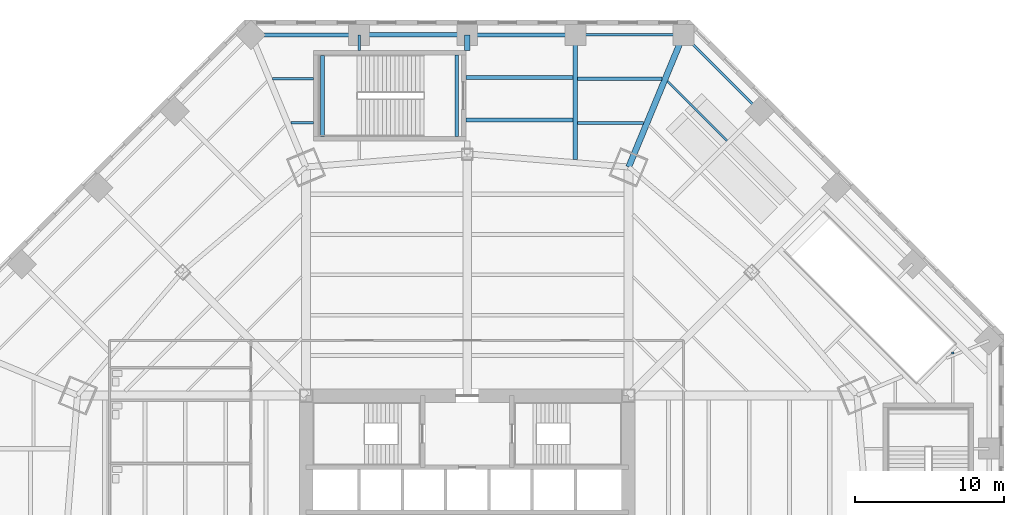
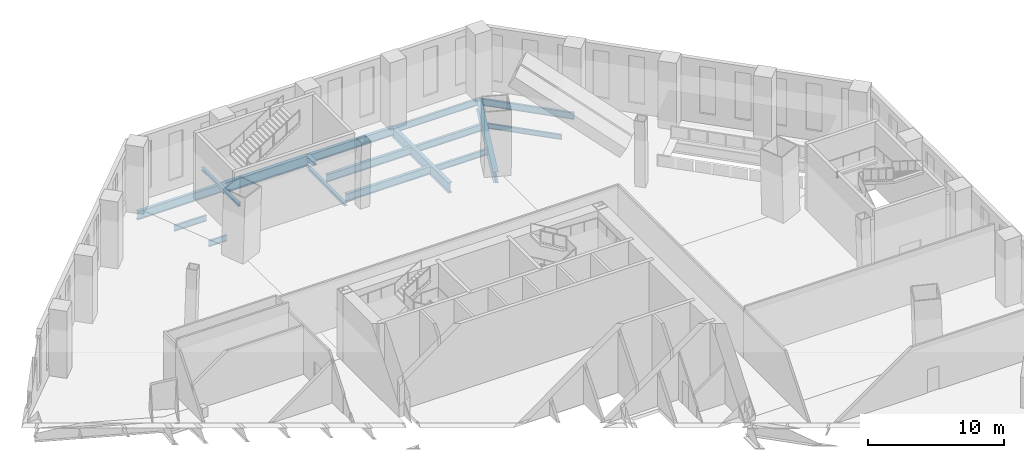
# One storey, part 6 of 20: 17 beams, 2 members.
"""IFC4 building model written with IfcOpenShell, lengths in metres."""

import ifcopenshell
import ifcopenshell.guid

model = None  # the IFC model being written
_history = None  # IfcOwnerHistory: only IFC2X3 demands one
_inside = {}  # id of a spatial element -> (the spatial element, [elements in it])
_under = {}  # id of a project, library or spatial element -> (it, [spatial elements below it])
_declared = {}  # id of a project -> (the project, [libraries it declares])
_typed = {}  # id of a type object -> (the type object, [elements of that type])
_made_of = {}  # id of a material, layer set ... -> (it, [elements and type objects made of it])


def new_model(schema):
    """Start an empty IFC model of exactly this schema.

    Asked for "IFC4X3", IfcOpenShell would pick the latest addendum, in which some entities
    have other attributes; the version numbers below select the first issue.
    IFC2X3 requires an IfcOwnerHistory on every rooted entity: one is made here for all.
    """
    global model, _history
    if schema == "IFC4X3":
        model = ifcopenshell.file(schema_version=(4, 3, 0, 0))
    else:
        model = ifcopenshell.file(schema=schema)
    _inside.clear()
    _under.clear()
    _declared.clear()
    _typed.clear()
    _made_of.clear()
    _history = None
    if model.schema == "IFC2X3":
        org = make("IfcOrganization", Name="unknown")
        user = make(
            "IfcPersonAndOrganization",
            ThePerson=make("IfcPerson", FamilyName="unknown"),
            TheOrganization=org,
        )
        app = make(
            "IfcApplication",
            ApplicationDeveloper=org,
            Version="unknown",
            ApplicationFullName="unknown",
            ApplicationIdentifier="unknown",
        )
        _history = make(
            "IfcOwnerHistory",
            OwningUser=user,
            OwningApplication=app,
            ChangeAction="ADDED",
            CreationDate=0,
        )
    return model


def make(cls, **values):
    """One entity of the class cls with the attributes given. An attribute that is None is left unset."""
    return model.create_entity(
        cls, **{name: value for name, value in values.items() if value is not None}
    )


def rooted(cls, **values):
    """An entity with a GlobalId (a new one), such as an element, a storey or a relation."""
    return make(cls, GlobalId=ifcopenshell.guid.new(), OwnerHistory=_history, **values)


def si_unit(unit_type, name, prefix=None):
    """IfcSIUnit, for example si_unit("LENGTHUNIT", "METRE", prefix="MILLI")."""
    return make("IfcSIUnit", UnitType=unit_type, Prefix=prefix, Name=name)


def assignment(units):
    """IfcUnitAssignment: the units of a project."""
    return None if units is None else make("IfcUnitAssignment", Units=units)


def point(xyz):
    """IfcCartesianPoint."""
    return None if xyz is None else make("IfcCartesianPoint", Coordinates=xyz)


def direction(xyz):
    """IfcDirection."""
    return None if xyz is None else make("IfcDirection", DirectionRatios=xyz)


def frame(location, z_axis=None, x_axis=None):
    """IfcAxis2Placement3D, a coordinate frame: its origin and axes. An axis left out is left unset."""
    return make(
        "IfcAxis2Placement3D",
        Location=point(location),
        Axis=direction(z_axis),
        RefDirection=direction(x_axis),
    )


def frame_2d(location, x_axis=None):
    """IfcAxis2Placement2D, a coordinate frame in the plane: its origin and x axis."""
    return make(
        "IfcAxis2Placement2D", Location=point(location), RefDirection=direction(x_axis)
    )


def origin():
    """The frame at (0, 0, 0) with its axes left unset."""
    return frame((0.0, 0.0, 0.0))


def origin_2d():
    """The frame at (0, 0) in the plane with its x axis left unset."""
    return frame_2d((0.0, 0.0))


def place(relative_to, where):
    """IfcLocalPlacement: puts the frame where relative to a parent placement (None: the world)."""
    return make(
        "IfcLocalPlacement", PlacementRelTo=relative_to, RelativePlacement=where
    )


def context(
    kind, dimensions, precision=None, world=None, true_north=None, identifier=None
):
    """IfcGeometricRepresentationContext, for example the 3D "Model" context."""
    return make(
        "IfcGeometricRepresentationContext",
        ContextIdentifier=identifier,
        ContextType=kind,
        CoordinateSpaceDimension=dimensions,
        Precision=precision,
        WorldCoordinateSystem=world,
        TrueNorth=true_north,
    )


def subcontext(parent, identifier, kind, view, scale=None):
    """IfcGeometricRepresentationSubContext, for example "Body" below "Model"."""
    return make(
        "IfcGeometricRepresentationSubContext",
        ContextIdentifier=identifier,
        ContextType=kind,
        ParentContext=parent,
        TargetScale=scale,
        TargetView=view,
    )


def project(units=None, contexts=None):
    """IfcProject with its units and contexts."""
    return rooted(
        "IfcProject",
        Name="project",
        RepresentationContexts=contexts,
        UnitsInContext=assignment(units),
    )


def spatial(cls, under=None, at=None, **own):
    """A site, building, storey or space (cls), placed at a placement, below another one or the project."""
    s = rooted(cls, ObjectPlacement=at, **own)
    if under is not None:
        _under.setdefault(under.id(), (under, []))[1].append(s)
    return s


def profile(cls, at=None, kind="AREA", **sizes):
    """A parametric profile (cls). Its sizes go by their IFC names, for example OverallWidth=200.0."""
    return make(cls, ProfileType=kind, Position=at, **sizes)


def i_section(**sizes):
    """IfcIShapeProfileDef."""
    return profile("IfcIShapeProfileDef", **sizes)


def extrude(swept, where, along, depth):
    """IfcExtrudedAreaSolid: the profile swept, set in the frame where, extruded along a direction by depth."""
    return make(
        "IfcExtrudedAreaSolid",
        SweptArea=swept,
        Position=where,
        ExtrudedDirection=direction(along),
        Depth=depth,
    )


def shape(context_of_items, identifier, shape_type, items):
    """IfcShapeRepresentation: the items that make up one representation, for example the "Body"."""
    return make(
        "IfcShapeRepresentation",
        ContextOfItems=context_of_items,
        RepresentationIdentifier=identifier,
        RepresentationType=shape_type,
        Items=items,
    )


def source(mapping_origin, context_of_items, identifier, shape_type, items):
    """IfcRepresentationMap: a shape defined once, which mapped items show again and again."""
    return make(
        "IfcRepresentationMap",
        MappingOrigin=mapping_origin,
        MappedRepresentation=shape(context_of_items, identifier, shape_type, items),
    )


def transform(
    local_origin,
    x_axis=None,
    y_axis=None,
    z_axis=None,
    scale=None,
    scale2=None,
    scale3=None,
    uniform=True,
):
    """IfcCartesianTransformationOperator3D, or its non-uniform kind. x_axis, y_axis, z_axis: its Axis1, 2, 3."""
    if uniform:
        return make(
            "IfcCartesianTransformationOperator3D",
            Axis1=direction(x_axis),
            Axis2=direction(y_axis),
            LocalOrigin=point(local_origin),
            Scale=scale,
            Axis3=direction(z_axis),
        )
    return make(
        "IfcCartesianTransformationOperator3DnonUniform",
        Axis1=direction(x_axis),
        Axis2=direction(y_axis),
        LocalOrigin=point(local_origin),
        Scale=scale,
        Axis3=direction(z_axis),
        Scale2=scale2,
        Scale3=scale3,
    )


def mapped(mapping_source, mapping_target):
    """IfcMappedItem: shows the shape of a source again, moved by a transform."""
    return make(
        "IfcMappedItem", MappingSource=mapping_source, MappingTarget=mapping_target
    )


def material(Name=None, Category=None):
    """IfcMaterial."""
    return make("IfcMaterial", Name=Name, Category=Category)


def material_profile(
    of_material, cross_section, Name=None, Category=None, Priority=None
):
    """IfcMaterialProfile: a cross section and its material."""
    return make(
        "IfcMaterialProfile",
        Name=Name,
        Material=of_material,
        Profile=cross_section,
        Priority=Priority,
        Category=Category,
    )


def profile_set(profiles, Name=None, composite=None):
    """IfcMaterialProfileSet."""
    return make(
        "IfcMaterialProfileSet",
        Name=Name,
        MaterialProfiles=profiles,
        CompositeProfile=composite,
    )


def made_of(thing, what):
    """Note that an element or type object is made of a material, layer set ...; save() writes the relation."""
    if what is not None:
        _made_of.setdefault(what.id(), (what, []))[1].append(thing)
    return thing


def type_object(cls, material=None, **own):
    """A type object (cls), such as IfcWallType, which elements share."""
    return made_of(rooted(cls, **own), material)


def type_shapes(of_type, sources):
    """Give a type object the sources (RepresentationMaps) that its elements show as mapped items."""
    of_type.RepresentationMaps = sources


def element(
    cls,
    number,
    at=None,
    inside=None,
    cuts=None,
    type_object=None,
    material=None,
    context=None,
    identifier="Body",
    shape_type=None,
    held_by="IfcProductDefinitionShape",
    body=None,
    shapes=None,
    **own,
):
    """One element of the class cls, such as IfcWall. Its Tag is "e" and its number.

    at: its placement. inside: the storey or other place that contains it. cuts: it is an
    opening in that element (IfcRelVoidsElement). A single representation is given by context,
    identifier, shape_type and body (its items); several are given by shapes. held_by: the class
    of the entity that holds the representations. save() writes the other relations.
    """
    e = rooted(cls, Tag="e%d" % number, ObjectPlacement=at, **own)
    if body is not None:
        shapes = [shape(context, identifier, shape_type, body)]
    if shapes is not None:
        e.Representation = make(held_by, Representations=shapes)
    if inside is not None:
        _inside.setdefault(inside.id(), (inside, []))[1].append(e)
    if cuts is not None:
        rooted(
            "IfcRelVoidsElement", RelatingBuildingElement=cuts, RelatedOpeningElement=e
        )
    if type_object is not None:
        _typed.setdefault(type_object.id(), (type_object, []))[1].append(e)
    return made_of(e, material)


def aggregate(whole, parts):
    """IfcRelAggregates: a whole, such as a stair, and the parts it consists of."""
    return rooted("IfcRelAggregates", RelatingObject=whole, RelatedObjects=parts)


def save(model, path):
    """Write the relations noted so far, then the file.

    IfcRelAggregates (storeys below a building ...), IfcRelContainedInSpatialStructure (elements
    in a storey), IfcRelDefinesByType, IfcRelAssociatesMaterial and IfcRelDeclares: one each for
    every whole, place, type object, material and project.
    """
    for whole, parts in _under.values():
        aggregate(whole, parts)
    for where, things in _inside.values():
        rooted(
            "IfcRelContainedInSpatialStructure",
            RelatedElements=things,
            RelatingStructure=where,
        )
    for kind, things in _typed.values():
        rooted("IfcRelDefinesByType", RelatedObjects=things, RelatingType=kind)
    for what, things in _made_of.values():
        rooted("IfcRelAssociatesMaterial", RelatedObjects=things, RelatingMaterial=what)
    for by, libraries in _declared.values():
        rooted("IfcRelDeclares", RelatingContext=by, RelatedDefinitions=libraries)
    model.write(path)


model = new_model("IFC4")

# Units and contexts
model_context = context("Model", 3, precision=1e-05, world=origin(), true_north=direction((0.0, 1.0)))
body_context = subcontext(model_context, "Body", "Model", "MODEL_VIEW")
ifc_project = project(units=[si_unit("LENGTHUNIT", "METRE"), si_unit("AREAUNIT", "SQUARE_METRE"), si_unit("VOLUMEUNIT", "CUBIC_METRE"), si_unit("PLANEANGLEUNIT", "RADIAN"), si_unit("MASSUNIT", "GRAM", prefix="KILO")], contexts=[model_context])

# Site, building, storey
site_placement = place(None, origin())
site = spatial("IfcSite", under=ifc_project, at=site_placement, CompositionType="ELEMENT")
building_placement = place(site_placement, origin())
building = spatial("IfcBuilding", under=site, at=building_placement, Name="Mashrafa Tower", CompositionType="ELEMENT")
storey_placement = place(building_placement, frame((0.0, 0.0, 7.199951171875)))
storey = spatial("IfcBuildingStorey", under=building, at=storey_placement, Name="L01", CompositionType="ELEMENT", Elevation=7.199951171875)

# Beams
ifc_material_1 = material(Name="Steel ASTM A992", Category="steel")
ifc_material_profile_1 = material_profile(ifc_material_1, i_section(OverallWidth=0.15234375, OverallDepth=0.449462890625, WebThickness=0.007568359375, FlangeThickness=0.0107421875, FilletRadius=0.01025390625, at=origin_2d()), Name="W18X35")
ifc_profile_set_1 = profile_set([ifc_material_profile_1], Name="Steel ASTM A992")
beam_type_1 = type_object("IfcBeamType", Name="Beam W18X35", PredefinedType="BEAM", material=ifc_profile_set_1)
beam_1_placement = place(storey_placement, frame((13.427978515625, 31.8935546875, -0.524658203125), z_axis=(0.707106781187, -0.707106781187, 0.0), x_axis=(0.707106781187, 0.707106781187, 0.0)))
element("IfcBeam", 1, at=beam_1_placement, inside=storey, type_object=beam_type_1, Name="Floor beam L01 083", PredefinedType="BEAM", context=body_context, shape_type="SweptSolid", body=[
    extrude(i_section(OverallWidth=0.15234375, OverallDepth=0.449462890625, WebThickness=0.007568359375, FlangeThickness=0.0107421875, FilletRadius=0.01025390625, at=origin_2d()), origin(), (0.0, 0.0, 1.0), 5.65478515625),
])
ifc_material_2 = material(Name="Steel ASTM A992", Category="steel")
ifc_material_profile_2 = material_profile(ifc_material_2, i_section(OverallWidth=0.1650390625, OverallDepth=0.52587890625, WebThickness=0.0087890625, FlangeThickness=0.011474609375, FilletRadius=0.0126953125, at=origin_2d()), Name="W21X44")
ifc_profile_set_2 = profile_set([ifc_material_profile_2], Name="Steel ASTM A992")
beam_type_2 = type_object("IfcBeamType", Name="Beam W21X44", PredefinedType="BEAM", material=ifc_profile_set_2)
beam_2_placement = place(storey_placement, frame((-13.05712890625, 32.047119140625, -0.562744140625), z_axis=(1.0, 0.0, 0.0), x_axis=(0.0, 1.0, 0.0)))
element("IfcBeam", 2, at=beam_2_placement, inside=storey, type_object=beam_type_2, Name="Floor beam L01 039", PredefinedType="BEAM", context=body_context, shape_type="SweptSolid", body=[
    extrude(i_section(OverallWidth=0.1650390625, OverallDepth=0.52587890625, WebThickness=0.0087890625, FlangeThickness=0.011474609375, FilletRadius=0.0126953125, at=origin_2d()), origin(), (0.0, 0.0, 1.0), 2.757080078125),
])
beam_3_placement = place(storey_placement, frame((-11.833984375, 29.09423828125, -0.562744140625), z_axis=(1.0, 0.0, 0.0), x_axis=(0.0, 1.0, 0.0)))
element("IfcBeam", 3, at=beam_3_placement, inside=storey, type_object=beam_type_2, Name="Floor beam L01 043", PredefinedType="BEAM", context=body_context, shape_type="SweptSolid", body=[
    extrude(i_section(OverallWidth=0.1650390625, OverallDepth=0.52587890625, WebThickness=0.0087890625, FlangeThickness=0.011474609375, FilletRadius=0.0126953125, at=origin_2d()), origin(), (0.0, 0.0, 1.0), 1.533935546875),
])
beam_4_placement = place(storey_placement, frame((32.561279296875, 13.732666015625, -0.562744140625), z_axis=(0.0, -1.0, 0.0), x_axis=(1.0, 0.0, 0.0)))
element("IfcBeam", 4, at=beam_4_placement, inside=storey, type_object=beam_type_2, Name="Floor beam L01 117 part 1", PredefinedType="BEAM", context=body_context, shape_type="SweptSolid", body=[
    extrude(i_section(OverallWidth=0.1650390625, OverallDepth=0.52587890625, WebThickness=0.0087890625, FlangeThickness=0.011474609375, FilletRadius=0.0126953125, at=origin_2d()), origin(), (0.0, 0.0, 1.0), 0.14892578125),
])
ifc_material_3 = material(Name="Steel ASTM A992", Category="steel")
ifc_material_profile_3 = material_profile(ifc_material_3, i_section(OverallWidth=0.209228515625, OverallDepth=0.533447265625, WebThickness=0.01025390625, FlangeThickness=0.015625, FilletRadius=0.012939453125, at=origin_2d()), Name="W21X62")
ifc_profile_set_3 = profile_set([ifc_material_profile_3], Name="Steel ASTM A992")
beam_type_3 = type_object("IfcBeamType", Name="Beam W21X62", PredefinedType="BEAM", material=ifc_profile_set_3)
beam_5_placement = place(storey_placement, frame((7.40234375, 29.09423828125, -0.566650390625), z_axis=(1.0, 0.0, 0.0), x_axis=(0.0, 1.0, 0.0)))
element("IfcBeam", 5, at=beam_5_placement, inside=storey, type_object=beam_type_3, Name="Floor beam L01 068", PredefinedType="BEAM", context=body_context, shape_type="SweptSolid", body=[
    extrude(i_section(OverallWidth=0.209228515625, OverallDepth=0.533447265625, WebThickness=0.01025390625, FlangeThickness=0.015625, FilletRadius=0.012939453125, at=origin_2d()), origin(), (0.0, 0.0, 1.0), 4.431640625),
])
ifc_material_4 = material(Name="Steel ASTM A992", Category="steel")
ifc_material_profile_4 = material_profile(ifc_material_4, i_section(OverallWidth=0.177978515625, OverallDepth=0.599365234375, WebThickness=0.010009765625, FlangeThickness=0.012939453125, FilletRadius=0.012939453125, at=origin_2d()), Name="W24X55")
ifc_profile_set_4 = profile_set([ifc_material_profile_4], Name="Steel ASTM A992")
beam_type_4 = type_object("IfcBeamType", Name="Beam W24X55", PredefinedType="BEAM", material=ifc_profile_set_4)
beam_6_placement = place(storey_placement, frame((14.49755859375, 35.0, -0.599609375), z_axis=(-1.0, 0.0, 0.0), x_axis=(0.0, -1.0, 0.0)))
element("IfcBeam", 6, at=beam_6_placement, inside=storey, type_object=beam_type_4, Name="Podium edge beam L01 139", PredefinedType="BEAM", context=body_context, shape_type="SweptSolid", body=[
    extrude(i_section(OverallWidth=0.177978515625, OverallDepth=0.599365234375, WebThickness=0.010009765625, FlangeThickness=0.012939453125, FilletRadius=0.012939453125, at=origin_2d()), origin(), (0.0, 0.0, 1.0), 7.248779296875),
])
beam_7_placement = place(storey_placement, frame((19.623046875, 29.87451171875, -0.599609375), z_axis=(-0.707106781187, 0.707106781187, 0.0), x_axis=(-0.707106781187, -0.707106781187, 0.0)))
element("IfcBeam", 7, at=beam_7_placement, inside=storey, type_object=beam_type_4, Name="Podium edge beam L01 141", PredefinedType="BEAM", context=body_context, shape_type="SweptSolid", body=[
    extrude(i_section(OverallWidth=0.177978515625, OverallDepth=0.599365234375, WebThickness=0.010009765625, FlangeThickness=0.012939453125, FilletRadius=0.012939453125, at=origin_2d()), origin(), (0.0, 0.0, 1.0), 7.24853515625),
])
ifc_material_5 = material(Name="Steel ASTM A992", Category="steel")
ifc_material_profile_5 = material_profile(ifc_material_5, i_section(OverallWidth=0.227783203125, OverallDepth=0.60205078125, WebThickness=0.010498046875, FlangeThickness=0.014892578125, FilletRadius=0.012939453125, at=origin_2d()), Name="W24X68")
ifc_profile_set_5 = profile_set([ifc_material_profile_5], Name="Steel ASTM A992")
beam_type_5 = type_object("IfcBeamType", Name="Beam W24X68", PredefinedType="BEAM", material=ifc_profile_set_5)
beam_8_placement = place(storey_placement, frame((7.40234375, 32.047119140625, -0.600830078125), z_axis=(1.0, 0.0, 0.0), x_axis=(0.0, 1.0, 0.0)))
element("IfcBeam", 8, at=beam_8_placement, inside=storey, type_object=beam_type_5, Name="Floor beam L01 069", PredefinedType="BEAM", context=body_context, shape_type="SweptSolid", body=[
    extrude(i_section(OverallWidth=0.227783203125, OverallDepth=0.60205078125, WebThickness=0.010498046875, FlangeThickness=0.014892578125, FilletRadius=0.012939453125, at=origin_2d()), origin(), (0.0, 0.0, 1.0), 5.65478515625),
])
ifc_material_6 = material(Name="Steel ASTM A992", Category="steel")
ifc_material_profile_6 = material_profile(ifc_material_6, i_section(OverallWidth=0.256591796875, OverallDepth=0.693359375, WebThickness=0.014404296875, FlangeThickness=0.023681640625, FilletRadius=0.01513671875, at=origin_2d()), Name="W27X114")
ifc_profile_set_6 = profile_set([ifc_material_profile_6], Name="Steel ASTM A992")
beam_type_6 = type_object("IfcBeamType", Name="Beam W27X114", PredefinedType="BEAM", material=ifc_profile_set_6)
beam_9_placement = place(storey_placement, frame((-0.10009765625, 29.28759765625, -0.646728515625), z_axis=(1.0, 0.0, 0.0), x_axis=(0.0, 1.0, 0.0)))
element("IfcBeam", 9, at=beam_9_placement, inside=storey, type_object=beam_type_6, Name="Floor beam L01 054", PredefinedType="BEAM", context=body_context, shape_type="SweptSolid", body=[
    extrude(i_section(OverallWidth=0.256591796875, OverallDepth=0.693359375, WebThickness=0.014404296875, FlangeThickness=0.023681640625, FilletRadius=0.01513671875, at=origin_2d()), origin(), (0.0, 0.0, 1.0), 7.195068359375),
])
ifc_material_7 = material(Name="Steel ASTM A992", Category="steel")
ifc_material_profile_7 = material_profile(ifc_material_7, i_section(OverallWidth=0.25390625, OverallDepth=0.683349609375, WebThickness=0.012451171875, FlangeThickness=0.01904296875, FilletRadius=0.01513671875, at=origin_2d()), Name="W27X94")
ifc_profile_set_7 = profile_set([ifc_material_profile_7], Name="Steel ASTM A992")
beam_type_7 = type_object("IfcBeamType", Name="Beam W27X94", PredefinedType="BEAM", material=ifc_profile_set_7)
beam_10_placement = place(storey_placement, frame((-0.10009765625, 32.143798828125, -0.6416015625), z_axis=(1.0, 0.0, 0.0), x_axis=(0.0, 1.0, 0.0)))
element("IfcBeam", 10, at=beam_10_placement, inside=storey, type_object=beam_type_7, Name="Floor beam L01 055", PredefinedType="BEAM", context=body_context, shape_type="SweptSolid", body=[
    extrude(i_section(OverallWidth=0.25390625, OverallDepth=0.683349609375, WebThickness=0.012451171875, FlangeThickness=0.01904296875, FilletRadius=0.01513671875, at=origin_2d()), origin(), (0.0, 0.0, 1.0), 7.195068359375),
])
ifc_material_8 = material(Name="Steel ASTM A992", Category="steel")
ifc_material_profile_8 = material_profile(ifc_material_8, i_section(OverallWidth=0.2666015625, OverallDepth=0.75439453125, WebThickness=0.01318359375, FlangeThickness=0.01708984375, FilletRadius=0.0166015625, at=origin_2d()), Name="W30X99")
ifc_profile_set_8 = profile_set([ifc_material_profile_8], Name="Steel ASTM A992")
beam_type_8 = type_object("IfcBeamType", Name="Beam W30X99", PredefinedType="BEAM", material=ifc_profile_set_8)
for number, where, z_axis, x_axis, name in (
    (11, (-7.248779296875, 35.0, -0.67724609375), (-1.0, 0.0, 0.0), (0.0, -1.0, 0.0), "Podium edge beam L01 133"),
    (12, (7.248779296875, 35.0, -0.67724609375), (-1.0, 0.0, 0.0), (0.0, -1.0, 0.0), "Podium edge beam L01 137"),
):
    element("IfcBeam", number, at=place(storey_placement, frame(where, z_axis=z_axis, x_axis=x_axis)), inside=storey, type_object=beam_type_8, Name=name, PredefinedType="BEAM", context=body_context, shape_type="SweptSolid", body=[
        extrude(i_section(OverallWidth=0.2666015625, OverallDepth=0.75439453125, WebThickness=0.01318359375, FlangeThickness=0.01708984375, FilletRadius=0.0166015625, at=origin_2d()), origin(), (0.0, 0.0, 1.0), 7.248779296875),
    ])
ifc_material_9 = material(Name="Steel ASTM A992", Category="steel")
ifc_material_profile_9 = material_profile(ifc_material_9, i_section(OverallWidth=0.3046875, OverallDepth=0.911865234375, WebThickness=0.015869140625, FlangeThickness=0.02392578125, FilletRadius=0.01904296875, at=origin_2d()), Name="W36X150")
ifc_profile_set_9 = profile_set([ifc_material_profile_9], Name="Steel ASTM A992")
beam_type_9 = type_object("IfcBeamType", Name="Beam W36X150", PredefinedType="BEAM", material=ifc_profile_set_9)
beam_11_placement = place(storey_placement, frame((0.0, 35.0, -0.755859375), z_axis=(-1.0, 0.0, 0.0), x_axis=(0.0, -1.0, 0.0)))
element("IfcBeam", 13, at=beam_11_placement, inside=storey, type_object=beam_type_9, Name="Podium edge beam L01 135", PredefinedType="BEAM", context=body_context, shape_type="SweptSolid", body=[
    extrude(i_section(OverallWidth=0.3046875, OverallDepth=0.911865234375, WebThickness=0.015869140625, FlangeThickness=0.02392578125, FilletRadius=0.01904296875, at=origin_2d()), origin(), (0.0, 0.0, 1.0), 7.248779296875),
])
ifc_material_10 = material(Name="Steel ASTM A992", Category="steel")
ifc_material_profile_10 = material_profile(ifc_material_10, i_section(OverallWidth=0.307373046875, OverallDepth=0.927001953125, WebThickness=0.01953125, FlangeThickness=0.031982421875, FilletRadius=0.01904296875, at=origin_2d()), Name="W36X194")
ifc_profile_set_10 = profile_set([ifc_material_profile_10], Name="Steel ASTM A992")
beam_type_10 = type_object("IfcBeamType", Name="Beam W36X194", PredefinedType="BEAM", material=ifc_profile_set_10)
beam_12_placement = place(storey_placement, frame((7.248779296875, 26.6328125, -0.763427734375), z_axis=(0.0, 1.0, 0.0), x_axis=(-1.0, 0.0, 0.0)))
element("IfcBeam", 14, at=beam_12_placement, inside=storey, type_object=beam_type_10, Name="Podium radial beam L01 175", PredefinedType="BEAM", context=body_context, shape_type="SweptSolid", body=[
    extrude(i_section(OverallWidth=0.307373046875, OverallDepth=0.927001953125, WebThickness=0.01953125, FlangeThickness=0.031982421875, FilletRadius=0.01904296875, at=origin_2d()), origin(), (0.0, 0.0, 1.0), 8.3671875),
])
ifc_material_11 = material(Name="Steel ASTM A992", Category="steel")
ifc_material_profile_11 = material_profile(ifc_material_11, i_section(OverallWidth=0.4013671875, OverallDepth=0.98291015625, WebThickness=0.0166015625, FlangeThickness=0.027099609375, FilletRadius=0.0126953125, at=origin_2d()), Name="W40X199")
ifc_profile_set_11 = profile_set([ifc_material_profile_11], Name="Steel ASTM A992")
beam_type_11 = type_object("IfcBeamType", Name="Beam W40X199", PredefinedType="BEAM", material=ifc_profile_set_11)
beam_13_placement = place(storey_placement, frame((10.828125, 26.141357421875, -0.79150390625), z_axis=(0.38268910224, 0.923877183952, 0.0), x_axis=(-0.923877183952, 0.38268910224, 0.0)))
element("IfcBeam", 15, at=beam_13_placement, inside=storey, type_object=beam_type_11, Name="Podium radial beam L01 177", PredefinedType="BEAM", context=body_context, shape_type="SweptSolid", body=[
    extrude(i_section(OverallWidth=0.4013671875, OverallDepth=0.98291015625, WebThickness=0.0166015625, FlangeThickness=0.027099609375, FilletRadius=0.0126953125, at=origin_2d()), origin(), (0.0, 0.0, 1.0), 9.588623046875),
])
ifc_material_12 = material(Name="Steel ASTM A992", Category="steel")
ifc_material_profile_12 = material_profile(ifc_material_12, i_section(OverallWidth=0.25390625, OverallDepth=0.25390625, WebThickness=0.008544921875, FlangeThickness=0.01416015625, FilletRadius=0.010009765625, at=origin_2d()), Name="W10X49")
ifc_profile_set_12 = profile_set([ifc_material_profile_12], Name="Steel ASTM A992")
beam_type_12 = type_object("IfcBeamType", Name="Hoistway beam W10X49", PredefinedType="BEAM", material=ifc_profile_set_12)
for number, where, z_axis, x_axis, name in (
    (16, (-0.699951171875, 28.199951171875, -0.427001953125), (0.0, 1.0, 0.0), (-1.0, 0.0, 0.0), "Stair P2 landing beam L01"),
    (17, (-9.699951171875, 28.199951171875, 2.673095703125), (0.0, 1.0, 0.0), (-1.0, 0.0, 0.0), "Stair P2 landing beam L01"),
):
    element("IfcBeam", number, at=place(storey_placement, frame(where, z_axis=z_axis, x_axis=x_axis)), inside=storey, type_object=beam_type_12, Name=name, PredefinedType="BEAM", context=body_context, shape_type="SweptSolid", body=[
        extrude(i_section(OverallWidth=0.25390625, OverallDepth=0.25390625, WebThickness=0.008544921875, FlangeThickness=0.01416015625, FilletRadius=0.010009765625, at=origin_2d()), origin(), (0.0, 0.0, 1.0), 5.449951171875),
    ])

# Members
ifc_material_13 = material(Name="Steel ASTM A992", Category="steel")
ifc_material_profile_13 = material_profile(ifc_material_13, i_section(OverallWidth=0.177978515625, OverallDepth=0.599365234375, WebThickness=0.010009765625, FlangeThickness=0.012939453125, FilletRadius=0.012939453125, at=origin_2d()), Name="W24X55")
ifc_profile_set_13 = profile_set([ifc_material_profile_13], Name="Steel ASTM A992")
member_type_1 = type_object("IfcMemberType", Name="Tie strut W24X55", PredefinedType="STRUT", material=ifc_profile_set_13)
shared_shape_1 = source(origin(), body_context, "Body", "SweptSolid", [
    extrude(i_section(OverallWidth=0.177978515625, OverallDepth=0.599365234375, WebThickness=0.010009765625, FlangeThickness=0.012939453125, FilletRadius=0.012939453125, at=origin_2d()), origin(), (0.0, 0.0, 1.0), 1.050048828125),
])
type_shapes(member_type_1, [shared_shape_1])
member_1_placement = place(storey_placement, frame((-7.248779296875, 33.949951171875, -0.599609375), z_axis=(0.0, 1.0, 0.0), x_axis=(-1.0, 0.0, 0.0)))
element("IfcMember", 18, at=member_1_placement, inside=storey, type_object=member_type_1, Name="Tie strut L01 168", PredefinedType="STRUT", context=body_context, shape_type="MappedRepresentation", body=[
    mapped(shared_shape_1, transform((0.0, 0.0, 0.0))),
])
ifc_material_14 = material(Name="Steel ASTM A992", Category="steel")
ifc_material_profile_14 = material_profile(ifc_material_14, i_section(OverallWidth=0.368408203125, OverallDepth=0.355712890625, WebThickness=0.01123046875, FlangeThickness=0.01806640625, FilletRadius=0.01513671875, at=origin_2d()), Name="W14X90")
ifc_profile_set_14 = profile_set([ifc_material_profile_14], Name="Steel ASTM A992")
member_type_2 = type_object("IfcMemberType", Name="Tie strut W14X90", PredefinedType="STRUT", material=ifc_profile_set_14)
shared_shape_2 = source(origin(), body_context, "Body", "SweptSolid", [
    extrude(i_section(OverallWidth=0.368408203125, OverallDepth=0.355712890625, WebThickness=0.01123046875, FlangeThickness=0.01806640625, FilletRadius=0.01513671875, at=origin_2d()), origin(), (0.0, 0.0, 1.0), 1.050048828125),
])
type_shapes(member_type_2, [shared_shape_2])
member_2_placement = place(storey_placement, frame((0.0, 33.949951171875, -0.477783203125), z_axis=(0.0, 1.0, 0.0), x_axis=(-1.0, 0.0, 0.0)))
element("IfcMember", 19, at=member_2_placement, inside=storey, type_object=member_type_2, Name="Tie strut L01 172", PredefinedType="STRUT", context=body_context, shape_type="MappedRepresentation", body=[
    mapped(shared_shape_2, transform((0.0, 0.0, 0.0))),
])

save(model, "model.ifc")
